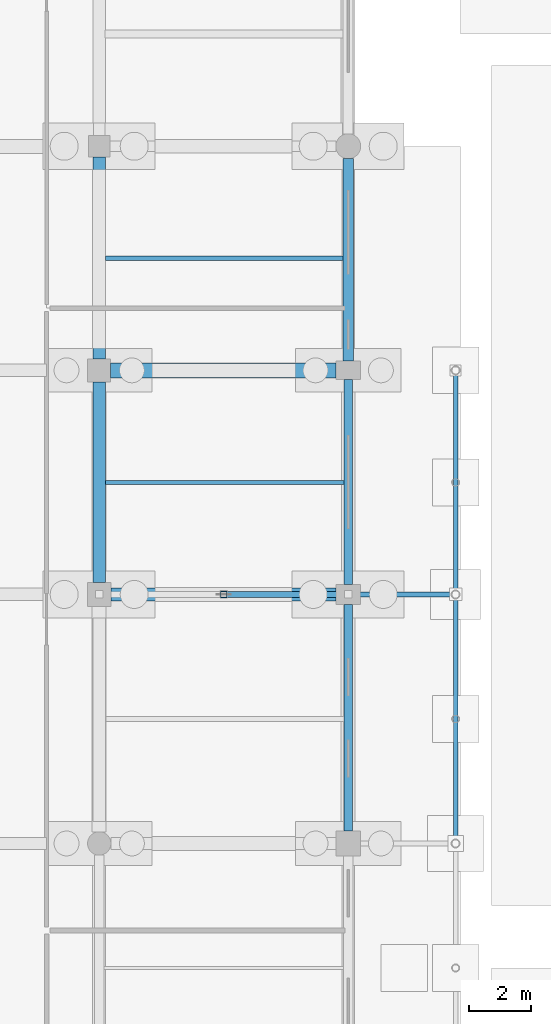
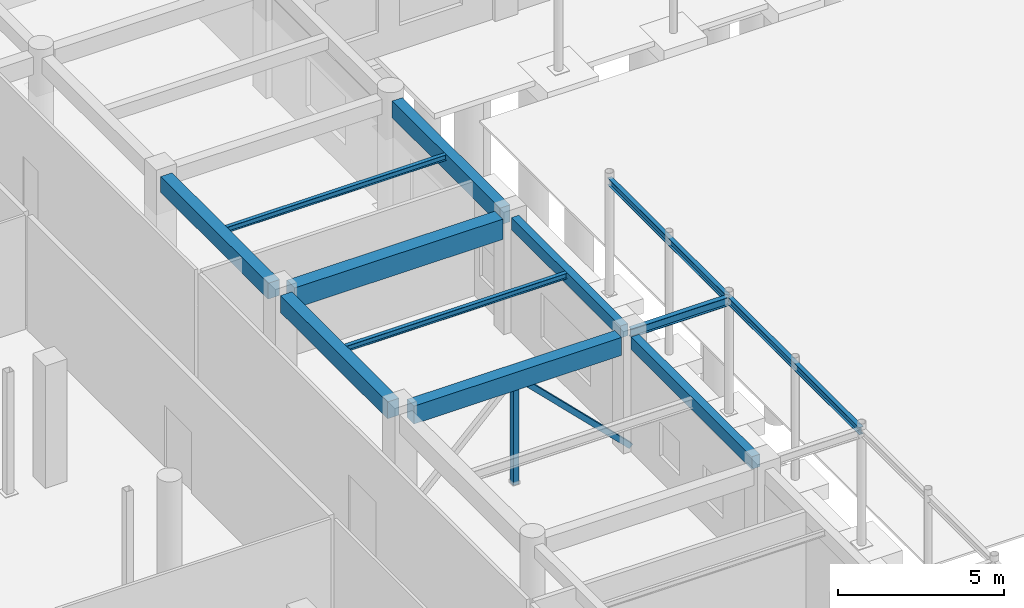
# One storey, part 58 of 166: 12 beams, 2 members.
"""IFC4 building model written with IfcOpenShell, lengths in metres."""

from ifc_helpers import new_model, si_unit, direction, frame, origin, origin_2d, place, context, subcontext, project, spatial, rectangle, hollow_rectangle, i_section, extrude, material, material_profile, profile_set, type_object, element, save


model = new_model("IFC4")

# Units and contexts
model_context = context("Model", 3, precision=1e-05, world=origin(), true_north=direction((0.0, 1.0)))
body_context = subcontext(model_context, "Body", "Model", "MODEL_VIEW")
ifc_project = project(units=[si_unit("LENGTHUNIT", "METRE"), si_unit("AREAUNIT", "SQUARE_METRE"), si_unit("VOLUMEUNIT", "CUBIC_METRE"), si_unit("PLANEANGLEUNIT", "RADIAN"), si_unit("MASSUNIT", "GRAM", prefix="KILO")], contexts=[model_context])

# Site, building, storey
site_placement = place(None, origin())
site = spatial("IfcSite", under=ifc_project, at=site_placement, CompositionType="ELEMENT")
building_placement = place(site_placement, origin())
building = spatial("IfcBuilding", under=site, at=building_placement, Name="Kharva Crest Polytechnic", CompositionType="ELEMENT")
storey_placement = place(building_placement, origin())
storey = spatial("IfcBuildingStorey", under=building, at=storey_placement, Name="L00", CompositionType="ELEMENT", Elevation=0.0)

# Beams
ifc_material_1 = material(Name="Concrete C35/45", Category="concrete")
ifc_material_profile_1 = material_profile(ifc_material_1, rectangle(XDim=0.39990234375, YDim=0.580078125, at=origin_2d()), Name="RECT 400 X 580")
ifc_profile_set_1 = profile_set([ifc_material_profile_1], Name="Concrete C35/45")
beam_type_1 = type_object("IfcBeamType", Name="BM-RC-400X580", PredefinedType="BEAM", material=ifc_profile_set_1)
beam_1_placement = place(storey_placement, frame((40.0, 86.3701171875, 3.929931640625), z_axis=(0.0, 1.0, 0.0), x_axis=(-1.0, 0.0, 0.0)))
element("IfcBeam", 1, at=beam_1_placement, inside=storey, type_object=beam_type_1, Name="L00 Girder 6/M-N", PredefinedType="BEAM", context=body_context, shape_type="SweptSolid", body=[
    extrude(rectangle(XDim=0.39990234375, YDim=0.580078125, at=origin_2d()), origin(), (0.0, 0.0, 1.0), 6.47998046875),
])
ifc_material_profile_2 = material_profile(ifc_material_1, rectangle(XDim=0.39990234375, YDim=0.6201171875, at=origin_2d()), Name="RECT 400 X 620")
ifc_profile_set_2 = profile_set([ifc_material_profile_2], Name="Concrete C35/45")
beam_type_2 = type_object("IfcBeamType", Name="BM-RC-400X620", PredefinedType="BEAM", material=ifc_profile_set_2)
beam_2_placement = place(storey_placement, frame((40.0, 79.179931640625, 3.909912109375), z_axis=(0.0, 1.0, 0.0), x_axis=(-1.0, 0.0, 0.0)))
element("IfcBeam", 2, at=beam_2_placement, inside=storey, type_object=beam_type_2, Name="L00 Girder 6/L-M", PredefinedType="BEAM", context=body_context, shape_type="SweptSolid", body=[
    extrude(rectangle(XDim=0.39990234375, YDim=0.6201171875, at=origin_2d()), origin(), (0.0, 0.0, 1.0), 6.449951171875),
])
ifc_material_profile_3 = material_profile(ifc_material_1, rectangle(XDim=0.419921875, YDim=0.659912109375, at=origin_2d()), Name="RECT 420 X 660")
ifc_profile_set_3 = profile_set([ifc_material_profile_3], Name="Concrete C35/45")
beam_type_3 = type_object("IfcBeamType", Name="BM-RC-420X660", PredefinedType="BEAM", material=ifc_profile_set_3)
beam_3_placement = place(storey_placement, frame((40.3798828125, 78.800048828125, 3.889892578125), z_axis=(1.0, 0.0, 0.0), x_axis=(0.0, 1.0, 0.0)))
element("IfcBeam", 3, at=beam_3_placement, inside=storey, type_object=beam_type_3, Name="L00 Beam L/6-7", PredefinedType="BEAM", context=body_context, shape_type="SweptSolid", body=[
    extrude(rectangle(XDim=0.419921875, YDim=0.659912109375, at=origin_2d()), origin(), (0.0, 0.0, 1.0), 7.22021484375),
])
ifc_material_profile_4 = material_profile(ifc_material_1, rectangle(XDim=0.47998046875, YDim=0.75, at=origin_2d()), Name="RECT 480 X 750")
ifc_profile_set_4 = profile_set([ifc_material_profile_4], Name="Concrete C35/45")
beam_type_4 = type_object("IfcBeamType", Name="BM-RC-480X750", PredefinedType="BEAM", material=ifc_profile_set_4)
beam_4_placement = place(storey_placement, frame((40.3701171875, 86.0, 3.844970703125), z_axis=(1.0, 0.0, 0.0), x_axis=(0.0, 1.0, 0.0)))
element("IfcBeam", 4, at=beam_4_placement, inside=storey, type_object=beam_type_4, Name="L00 Beam M/6-7", PredefinedType="BEAM", context=body_context, shape_type="SweptSolid", body=[
    extrude(rectangle(XDim=0.47998046875, YDim=0.75, at=origin_2d()), origin(), (0.0, 0.0, 1.0), 7.239990234375),
])
ifc_material_2 = material(Name="Steel S355", Category="steel")
ifc_material_profile_5 = material_profile(ifc_material_2, i_section(OverallWidth=0.133056640625, OverallDepth=0.20703125, WebThickness=0.005859375, FlangeThickness=0.00830078125, at=origin_2d()), Name="W200X26.6")
ifc_profile_set_5 = profile_set([ifc_material_profile_5], Name="Steel S355")
beam_type_5 = type_object("IfcBeamType", Name="BM-STL-W200X26", PredefinedType="JOIST", material=ifc_profile_set_5)
beam_5_placement = place(storey_placement, frame((40.199951171875, 89.60009765625, 4.116455078125), z_axis=(1.0, 0.0, 0.0), x_axis=(0.0, 1.0, 0.0)))
element("IfcBeam", 5, at=beam_5_placement, inside=storey, type_object=beam_type_5, Name="L00 Floor Joist 6", PredefinedType="JOIST", context=body_context, shape_type="SweptSolid", body=[
    extrude(i_section(OverallWidth=0.133056640625, OverallDepth=0.20703125, WebThickness=0.005859375, FlangeThickness=0.00830078125, at=origin_2d()), origin(), (0.0, 0.0, 1.0), 7.625),
])
ifc_material_profile_6 = material_profile(ifc_material_2, i_section(OverallWidth=0.134033203125, OverallDepth=0.2099609375, WebThickness=0.00634765625, FlangeThickness=0.01025390625, at=origin_2d()), Name="W200X31.3")
ifc_profile_set_6 = profile_set([ifc_material_profile_6], Name="Steel S355")
beam_type_6 = type_object("IfcBeamType", Name="BM-STL-W200X31", PredefinedType="JOIST", material=ifc_profile_set_6)
beam_6_placement = place(storey_placement, frame((40.199951171875, 82.39990234375, 4.114990234375), z_axis=(1.0, 0.0, 0.0), x_axis=(0.0, 1.0, 0.0)))
element("IfcBeam", 6, at=beam_6_placement, inside=storey, type_object=beam_type_6, Name="L00 Floor Joist 5", PredefinedType="JOIST", context=body_context, shape_type="SweptSolid", body=[
    extrude(i_section(OverallWidth=0.134033203125, OverallDepth=0.2099609375, WebThickness=0.00634765625, FlangeThickness=0.01025390625, at=origin_2d()), origin(), (0.0, 0.0, 1.0), 7.670166015625),
])
ifc_material_profile_7 = material_profile(ifc_material_2, i_section(OverallWidth=0.14794921875, OverallDepth=0.26611328125, WebThickness=0.007568359375, FlangeThickness=0.012939453125, at=origin_2d()), Name="W250X44.8")
ifc_profile_set_7 = profile_set([ifc_material_profile_7], Name="Steel S355")
beam_type_7 = type_object("IfcBeamType", Name="BM-STL-W250X44", PredefinedType="SPANDREL", material=ifc_profile_set_7)
beam_7_placement = place(storey_placement, frame((51.449951171875, 70.820068359375, 4.156982421875), z_axis=(0.0, 1.0, 0.0), x_axis=(-1.0, 0.0, 0.0)))
element("IfcBeam", 7, at=beam_7_placement, inside=storey, type_object=beam_type_7, Name="L00 West Veranda Beam 4", PredefinedType="SPANDREL", context=body_context, shape_type="SweptSolid", body=[
    extrude(i_section(OverallWidth=0.14794921875, OverallDepth=0.26611328125, WebThickness=0.007568359375, FlangeThickness=0.012939453125, at=origin_2d()), origin(), (0.0, 0.0, 1.0), 7.9599609375),
])
beam_8_placement = place(storey_placement, frame((51.449951171875, 78.820068359375, 4.156982421875), z_axis=(0.0, 1.0, 0.0), x_axis=(-1.0, 0.0, 0.0)))
element("IfcBeam", 8, at=beam_8_placement, inside=storey, type_object=beam_type_7, Name="L00 West Veranda Beam 5", PredefinedType="SPANDREL", context=body_context, shape_type="SweptSolid", body=[
    extrude(i_section(OverallWidth=0.14794921875, OverallDepth=0.26611328125, WebThickness=0.007568359375, FlangeThickness=0.012939453125, at=origin_2d()), origin(), (0.0, 0.0, 1.0), 7.159912109375),
])
ifc_material_profile_8 = material_profile(ifc_material_2, i_section(OverallWidth=0.1669921875, OverallDepth=0.31689453125, WebThickness=0.007568359375, FlangeThickness=0.01318359375, at=origin_2d()), Name="W310X52")
ifc_profile_set_8 = profile_set([ifc_material_profile_8], Name="Steel S355")
beam_type_8 = type_object("IfcBeamType", Name="BM-STL-W310X52", PredefinedType="BEAM", material=ifc_profile_set_8)
beam_9_placement = place(storey_placement, frame((48.02001953125, 78.800048828125, 4.131591796875), z_axis=(1.0, 0.0, 0.0), x_axis=(0.0, 1.0, 0.0)))
element("IfcBeam", 9, at=beam_9_placement, inside=storey, type_object=beam_type_8, Name="L00 West Veranda Tie 5", PredefinedType="BEAM", context=body_context, shape_type="SweptSolid", body=[
    extrude(i_section(OverallWidth=0.1669921875, OverallDepth=0.31689453125, WebThickness=0.007568359375, FlangeThickness=0.01318359375, at=origin_2d()), origin(), (0.0, 0.0, 1.0), 3.409912109375),
])

# Members
ifc_material_profile_9 = material_profile(ifc_material_2, hollow_rectangle(XDim=0.179931640625, YDim=0.179931640625, WallThickness=0.008056640625, at=origin_2d()), Name="RHS 180X180X8.0")
ifc_profile_set_9 = profile_set([ifc_material_profile_9], Name="Steel S355")
member_type_1 = type_object("IfcMemberType", Name="MEM-RHS180-BR", PredefinedType="BRACE", material=ifc_profile_set_9)
member_1_placement = place(storey_placement, frame((48.0, 78.800048828125, 0.0), z_axis=(-0.711544263728, 0.0, 0.702641274589), x_axis=(0.0, -1.0, 0.0)))
element("IfcMember", 10, at=member_1_placement, inside=storey, type_object=member_type_1, Name="L00 Braced Frame 4 Diagonal B", PredefinedType="BRACE", context=body_context, shape_type="SweptSolid", body=[
    extrude(hollow_rectangle(XDim=0.179931640625, YDim=0.179931640625, WallThickness=0.008056640625, at=origin_2d()), origin(), (0.0, 0.0, 1.0), 5.62158203125),
])
ifc_material_profile_10 = material_profile(ifc_material_2, hollow_rectangle(XDim=0.199951171875, YDim=0.199951171875, WallThickness=0.008056640625, at=origin_2d()), Name="RHS 200X200X8.0")
ifc_profile_set_10 = profile_set([ifc_material_profile_10], Name="Steel S355")
member_type_2 = type_object("IfcMemberType", Name="MEM-RHS200-ST", PredefinedType="STRUT", material=ifc_profile_set_10)
member_2_placement = place(storey_placement, frame((44.0, 78.800048828125, 0.0), z_axis=(0.0, 0.0, 1.0), x_axis=(1.0, 0.0, 0.0)))
element("IfcMember", 11, at=member_2_placement, inside=storey, type_object=member_type_2, Name="L00 Braced Frame 4 King Strut", PredefinedType="STRUT", context=body_context, shape_type="SweptSolid", body=[
    extrude(hollow_rectangle(XDim=0.199951171875, YDim=0.199951171875, WallThickness=0.008056640625, at=origin_2d()), origin(), (0.0, 0.0, 1.0), 3.949951171875),
])

# Beams
ifc_material_profile_11 = material_profile(ifc_material_1, rectangle(XDim=0.260009765625, YDim=0.43994140625, at=origin_2d()), Name="RECT 260 X 440")
ifc_profile_set_11 = profile_set([ifc_material_profile_11], Name="Concrete C35/45")
beam_type_9 = type_object("IfcBeamType", Name="SP-RC-260X440", PredefinedType="SPANDREL", material=ifc_profile_set_11)
beam_10_placement = place(storey_placement, frame((48.0, 79.125, 4.0), z_axis=(0.0, 1.0, 0.0), x_axis=(-1.0, 0.0, 0.0)))
element("IfcBeam", 12, at=beam_10_placement, inside=storey, type_object=beam_type_9, Name="L00 Girder 7/L-M", PredefinedType="SPANDREL", context=body_context, shape_type="SweptSolid", body=[
    extrude(rectangle(XDim=0.260009765625, YDim=0.43994140625, at=origin_2d()), origin(), (0.0, 0.0, 1.0), 6.574951171875),
])
ifc_material_profile_12 = material_profile(ifc_material_1, rectangle(XDim=0.280029296875, YDim=0.4599609375, at=origin_2d()), Name="RECT 280 X 460")
ifc_profile_set_12 = profile_set([ifc_material_profile_12], Name="Concrete C35/45")
beam_type_10 = type_object("IfcBeamType", Name="SP-RC-280X460", PredefinedType="SPANDREL", material=ifc_profile_set_12)
beam_11_placement = place(storey_placement, frame((48.0, 71.199951171875, 3.989990234375), z_axis=(0.0, 1.0, 0.0), x_axis=(-1.0, 0.0, 0.0)))
element("IfcBeam", 13, at=beam_11_placement, inside=storey, type_object=beam_type_10, Name="L00 Girder 7/K-L", PredefinedType="SPANDREL", context=body_context, shape_type="SweptSolid", body=[
    extrude(rectangle(XDim=0.280029296875, YDim=0.4599609375, at=origin_2d()), origin(), (0.0, 0.0, 1.0), 7.275146484375),
])
ifc_material_profile_13 = material_profile(ifc_material_1, rectangle(XDim=0.35009765625, YDim=0.6201171875, at=origin_2d()), Name="RECT 350 X 620")
ifc_profile_set_13 = profile_set([ifc_material_profile_13], Name="Concrete C35/45")
beam_type_11 = type_object("IfcBeamType", Name="SP-RC-350X620", PredefinedType="SPANDREL", material=ifc_profile_set_13)
beam_12_placement = place(storey_placement, frame((48.0, 86.300048828125, 3.909912109375), z_axis=(0.0, 1.0, 0.0), x_axis=(-1.0, 0.0, 0.0)))
element("IfcBeam", 14, at=beam_12_placement, inside=storey, type_object=beam_type_11, Name="L00 Girder 7/M-N", PredefinedType="SPANDREL", context=body_context, shape_type="SweptSolid", body=[
    extrude(rectangle(XDim=0.35009765625, YDim=0.6201171875, at=origin_2d()), origin(), (0.0, 0.0, 1.0), 6.5),
])

save(model, "model.ifc")
